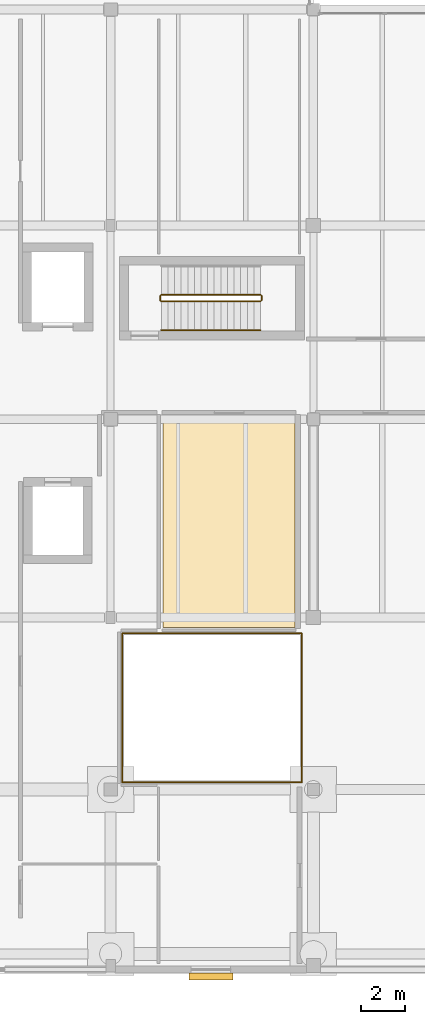
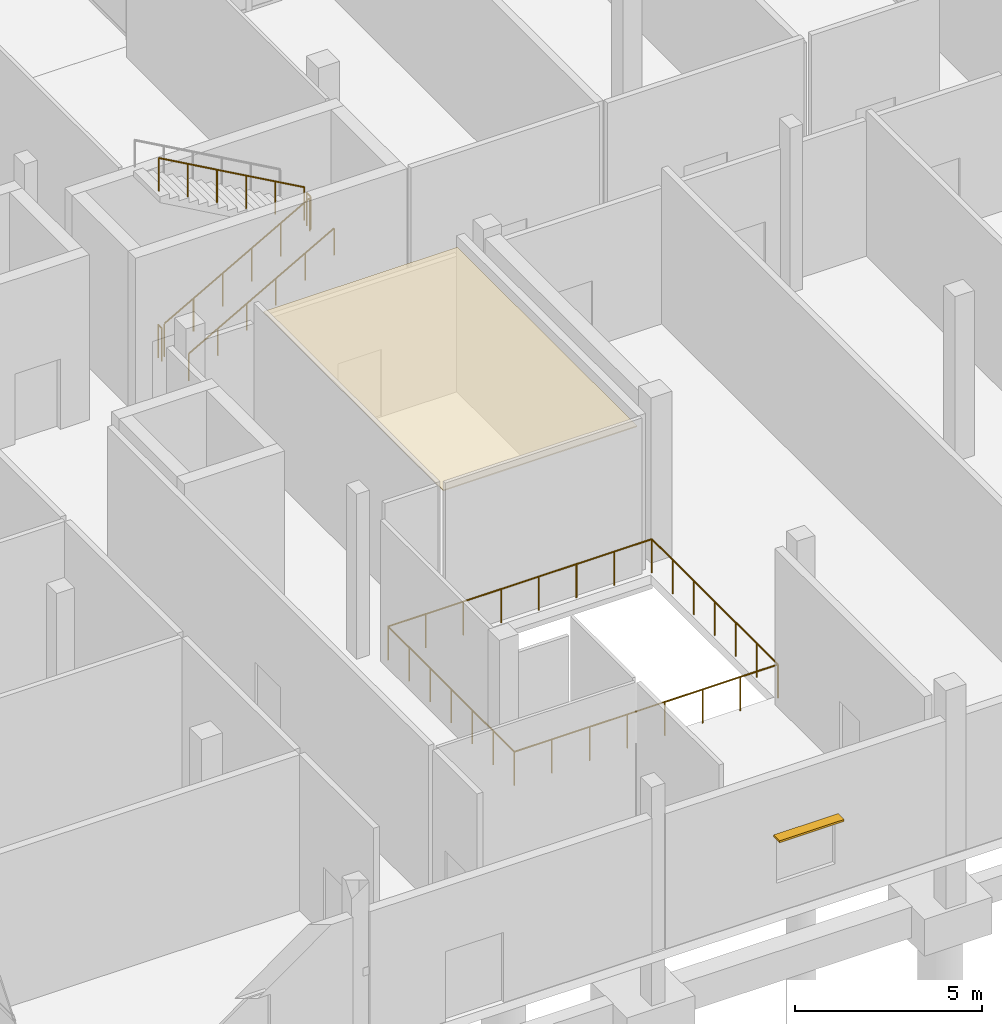
# One storey, part 85 of 88: 9 railings, 1 covering, 1 shading device.
"""IFC4 building model written with IfcOpenShell, lengths in metres."""

from ifc_helpers import new_model, si_unit, direction, frame, origin, origin_2d, place, context, subcontext, project, spatial, polyline, rectangle, circle, outline, extrude, material, layer, layer_set, type_object, element, save


model = new_model("IFC4")

# Units and contexts
model_context = context("Model", 3, precision=1e-05, world=origin(), true_north=direction((0.0, 1.0)))
body_context = subcontext(model_context, "Body", "Model", "MODEL_VIEW")
ifc_project = project(units=[si_unit("LENGTHUNIT", "METRE"), si_unit("AREAUNIT", "SQUARE_METRE"), si_unit("VOLUMEUNIT", "CUBIC_METRE"), si_unit("PLANEANGLEUNIT", "RADIAN"), si_unit("MASSUNIT", "GRAM", prefix="KILO")], contexts=[model_context])

# Site, building, storey
site_placement = place(None, origin())
site = spatial("IfcSite", under=ifc_project, at=site_placement, CompositionType="ELEMENT")
building_placement = place(site_placement, origin())
building = spatial("IfcBuilding", under=site, at=building_placement, Name="Birchvale Park Specialist Clinic", CompositionType="ELEMENT")
storey_placement = place(building_placement, origin())
storey = spatial("IfcBuildingStorey", under=building, at=storey_placement, Name="L00", CompositionType="ELEMENT", Elevation=0.0)

# Covering
ifc_material_1 = material(Name="Acoustic mineral-fibre wood-wool ceiling", Category="wood")
ifc_layer = layer(ifc_material_1, 0.034912109375)
ifc_layer_set = layer_set([ifc_layer], Name="Acoustic mineral-fibre wood-wool ceiling")
covering_type = type_object("IfcCoveringType", Name="COV-CE1", PredefinedType="CEILING", material=ifc_layer_set)
covering_placement = place(storey_placement, frame((0.0, 0.0, 4.715087890625)))
element("IfcCovering", 1, at=covering_placement, inside=storey, type_object=covering_type, Name="V5 L00 acoustic clinical ceiling 1", PredefinedType="CEILING", context=body_context, shape_type="SweptSolid", body=[
    extrude(outline(polyline([(139.577880859375, 16.340087890625), (145.575927734375, 16.340087890625), (145.575927734375, 25.97998046875), (139.577880859375, 25.97998046875), (139.577880859375, 16.340087890625)])), origin(), (0.0, 0.0, 1.0), 0.034912109375),
])

# Railings
ifc_material_2 = material(Name="Brushed stainless steel and laminated glass balustrade", Category="steel")
railing_type_1 = type_object("IfcRailingType", Name="RL-BAL1", PredefinedType="BALUSTRADE", material=ifc_material_2)
railing_1_placement = place(storey_placement, frame((137.719970703125, 9.320068359375, 0.0)))
element("IfcRailing", 2, at=railing_1_placement, inside=storey, type_object=railing_type_1, Name="V5 L00 atrium void balustrade 52", PredefinedType="BALUSTRADE", context=body_context, shape_type="SweptSolid", body=[
    extrude(circle(Radius=0.02392578125, at=origin_2d()), frame((0.0, 0.0, 1.09619140625), z_axis=(1.0, 0.0, 0.0), x_axis=(0.0, 1.0, 0.0)), (0.0, 0.0, 1.0), 8.159912109375),
    extrude(circle(Radius=0.02099609375, at=origin_2d()), origin(), (0.0, 0.0, 1.0), 1.072021484375),
    extrude(circle(Radius=0.02099609375, at=origin_2d()), frame((1.165771484375, 0.0, 0.0)), (0.0, 0.0, 1.0), 1.072021484375),
    extrude(circle(Radius=0.02099609375, at=origin_2d()), frame((2.331298828125, 0.0, 0.0)), (0.0, 0.0, 1.0), 1.072021484375),
    extrude(circle(Radius=0.02099609375, at=origin_2d()), frame((3.4970703125, 0.0, 0.0)), (0.0, 0.0, 1.0), 1.072021484375),
    extrude(circle(Radius=0.02099609375, at=origin_2d()), frame((4.662841796875, 0.0, 0.0)), (0.0, 0.0, 1.0), 1.072021484375),
    extrude(circle(Radius=0.02099609375, at=origin_2d()), frame((5.82861328125, 0.0, 0.0)), (0.0, 0.0, 1.0), 1.072021484375),
    extrude(circle(Radius=0.02099609375, at=origin_2d()), frame((6.994140625, 0.0, 0.0)), (0.0, 0.0, 1.0), 1.072021484375),
    extrude(circle(Radius=0.02099609375, at=origin_2d()), frame((8.159912109375, 0.0, 0.0)), (0.0, 0.0, 1.0), 1.072021484375),
])
railing_2_placement = place(storey_placement, frame((145.8798828125, 9.320068359375, 0.0)))
element("IfcRailing", 3, at=railing_2_placement, inside=storey, type_object=railing_type_1, Name="V5 L00 atrium void balustrade 53", PredefinedType="BALUSTRADE", context=body_context, shape_type="SweptSolid", body=[
    extrude(circle(Radius=0.02392578125, at=origin_2d()), frame((0.0, 0.0, 1.09619140625), z_axis=(0.0, 1.0, 0.0), x_axis=(-1.0, 0.0, 0.0)), (0.0, 0.0, 1.0), 6.760009765625),
    extrude(circle(Radius=0.02099609375, at=origin_2d()), origin(), (0.0, 0.0, 1.0), 1.072021484375),
    extrude(circle(Radius=0.02099609375, at=origin_2d()), frame((0.0, 1.126708984375, 0.0)), (0.0, 0.0, 1.0), 1.072021484375),
    extrude(circle(Radius=0.02099609375, at=origin_2d()), frame((0.0, 2.25341796875, 0.0)), (0.0, 0.0, 1.0), 1.072021484375),
    extrude(circle(Radius=0.02099609375, at=origin_2d()), frame((0.0, 3.3798828125, 0.0)), (0.0, 0.0, 1.0), 1.072021484375),
    extrude(circle(Radius=0.02099609375, at=origin_2d()), frame((0.0, 4.506591796875, 0.0)), (0.0, 0.0, 1.0), 1.072021484375),
    extrude(circle(Radius=0.02099609375, at=origin_2d()), frame((0.0, 5.63330078125, 0.0)), (0.0, 0.0, 1.0), 1.072021484375),
    extrude(circle(Radius=0.02099609375, at=origin_2d()), frame((0.0, 6.760009765625, 0.0)), (0.0, 0.0, 1.0), 1.072021484375),
])
railing_3_placement = place(storey_placement, frame((145.8798828125, 16.080078125, 0.0)))
element("IfcRailing", 4, at=railing_3_placement, inside=storey, type_object=railing_type_1, Name="V5 L00 atrium void balustrade 54", PredefinedType="BALUSTRADE", context=body_context, shape_type="SweptSolid", body=[
    extrude(circle(Radius=0.02392578125, at=origin_2d()), frame((0.0, 0.0, 1.09619140625), z_axis=(-1.0, 0.0, 0.0), x_axis=(0.0, -1.0, 0.0)), (0.0, 0.0, 1.0), 8.159912109375),
    extrude(circle(Radius=0.02099609375, at=origin_2d()), origin(), (0.0, 0.0, 1.0), 1.072021484375),
    extrude(circle(Radius=0.02099609375, at=origin_2d()), frame((-1.165771484375, 0.0, 0.0)), (0.0, 0.0, 1.0), 1.072021484375),
    extrude(circle(Radius=0.02099609375, at=origin_2d()), frame((-2.331298828125, 0.0, 0.0)), (0.0, 0.0, 1.0), 1.072021484375),
    extrude(circle(Radius=0.02099609375, at=origin_2d()), frame((-3.4970703125, 0.0, 0.0)), (0.0, 0.0, 1.0), 1.072021484375),
    extrude(circle(Radius=0.02099609375, at=origin_2d()), frame((-4.662841796875, 0.0, 0.0)), (0.0, 0.0, 1.0), 1.072021484375),
    extrude(circle(Radius=0.02099609375, at=origin_2d()), frame((-5.82861328125, 0.0, 0.0)), (0.0, 0.0, 1.0), 1.072021484375),
    extrude(circle(Radius=0.02099609375, at=origin_2d()), frame((-6.994140625, 0.0, 0.0)), (0.0, 0.0, 1.0), 1.072021484375),
    extrude(circle(Radius=0.02099609375, at=origin_2d()), frame((-8.159912109375, 0.0, 0.0)), (0.0, 0.0, 1.0), 1.072021484375),
])
railing_4_placement = place(storey_placement, frame((137.719970703125, 16.080078125, 0.0)))
element("IfcRailing", 5, at=railing_4_placement, inside=storey, type_object=railing_type_1, Name="V5 L00 atrium void balustrade 55", PredefinedType="BALUSTRADE", context=body_context, shape_type="SweptSolid", body=[
    extrude(circle(Radius=0.02392578125, at=origin_2d()), frame((0.0, 0.0, 1.09619140625), z_axis=(0.0, -1.0, 0.0), x_axis=(1.0, 0.0, 0.0)), (0.0, 0.0, 1.0), 6.760009765625),
    extrude(circle(Radius=0.02099609375, at=origin_2d()), origin(), (0.0, 0.0, 1.0), 1.072021484375),
    extrude(circle(Radius=0.02099609375, at=origin_2d()), frame((0.0, -1.126708984375, 0.0)), (0.0, 0.0, 1.0), 1.072021484375),
    extrude(circle(Radius=0.02099609375, at=origin_2d()), frame((0.0, -2.25341796875, 0.0)), (0.0, 0.0, 1.0), 1.072021484375),
    extrude(circle(Radius=0.02099609375, at=origin_2d()), frame((0.0, -3.3798828125, 0.0)), (0.0, 0.0, 1.0), 1.072021484375),
    extrude(circle(Radius=0.02099609375, at=origin_2d()), frame((0.0, -4.506591796875, 0.0)), (0.0, 0.0, 1.0), 1.072021484375),
    extrude(circle(Radius=0.02099609375, at=origin_2d()), frame((0.0, -5.63330078125, 0.0)), (0.0, 0.0, 1.0), 1.072021484375),
    extrude(circle(Radius=0.02099609375, at=origin_2d()), frame((0.0, -6.760009765625, 0.0)), (0.0, 0.0, 1.0), 1.072021484375),
])
ifc_material_3 = material(Name="Brushed stainless steel guard railing", Category="steel")
railing_type_2 = type_object("IfcRailingType", Name="RL-GRD1", PredefinedType="GUARDRAIL", material=ifc_material_3)
railing_5_placement = place(storey_placement, frame((139.5, 31.14990234375, 0.168701171875)))
element("IfcRailing", 6, at=railing_5_placement, inside=storey, type_object=railing_type_2, Name="L00 ST6 stair guard 1", PredefinedType="GUARDRAIL", context=body_context, shape_type="SweptSolid", body=[
    extrude(circle(Radius=0.02392578125, at=origin_2d()), frame((0.0, 0.0, 1.076171875), z_axis=(0.871575537125, 0.0, 0.490261239633), x_axis=(0.0, 1.0, 0.0)), (0.0, 0.0, 1.0), 5.1630859375),
    extrude(circle(Radius=0.02099609375, at=origin_2d()), origin(), (0.0, 0.0, 1.0), 1.052001953125),
    extrude(circle(Radius=0.02099609375, at=origin_2d()), frame((0.89990234375, 0.0, 0.50634765625)), (0.0, 0.0, 1.0), 1.052001953125),
    extrude(circle(Radius=0.02099609375, at=origin_2d()), frame((1.800048828125, 0.0, 1.012451171875)), (0.0, 0.0, 1.0), 1.052001953125),
    extrude(circle(Radius=0.02099609375, at=origin_2d()), frame((2.699951171875, 0.0, 1.518798828125)), (0.0, 0.0, 1.0), 1.052001953125),
    extrude(circle(Radius=0.02099609375, at=origin_2d()), frame((3.60009765625, 0.0, 2.02490234375)), (0.0, 0.0, 1.0), 1.052001953125),
    extrude(circle(Radius=0.02099609375, at=origin_2d()), frame((4.5, 0.0, 2.53125)), (0.0, 0.0, 1.0), 1.052001953125),
])
railing_6_placement = place(storey_placement, frame((144.050048828125, 31.199951171875, 2.699951171875)))
element("IfcRailing", 7, at=railing_6_placement, inside=storey, type_object=railing_type_2, Name="L00 ST6 stair guard 2", PredefinedType="GUARDRAIL", context=body_context, shape_type="SweptSolid", body=[
    extrude(circle(Radius=0.02392578125, at=origin_2d()), frame((0.0, 0.0, 1.076171875), z_axis=(0.0, 1.0, 0.0), x_axis=(-1.0, 0.0, 0.0)), (0.0, 0.0, 1.0), 0.199951171875),
    extrude(circle(Radius=0.02099609375, at=origin_2d()), origin(), (0.0, 0.0, 1.0), 1.052001953125),
    extrude(circle(Radius=0.02099609375, at=origin_2d()), frame((0.0, 0.199951171875, 0.0)), (0.0, 0.0, 1.0), 1.052001953125),
])
railing_7_placement = place(storey_placement, frame((144.0, 31.449951171875, 2.86865234375)))
element("IfcRailing", 8, at=railing_7_placement, inside=storey, type_object=railing_type_2, Name="L00 ST6 stair guard 3", PredefinedType="GUARDRAIL", context=body_context, shape_type="SweptSolid", body=[
    extrude(circle(Radius=0.02392578125, at=origin_2d()), frame((0.0, 0.0, 1.076171875), z_axis=(-0.871575537125, 0.0, 0.490261239633), x_axis=(0.0, -1.0, 0.0)), (0.0, 0.0, 1.0), 5.1630859375),
    extrude(circle(Radius=0.02099609375, at=origin_2d()), origin(), (0.0, 0.0, 1.0), 1.052001953125),
    extrude(circle(Radius=0.02099609375, at=origin_2d()), frame((-0.89990234375, 0.0, 0.50634765625)), (0.0, 0.0, 1.0), 1.052001953125),
    extrude(circle(Radius=0.02099609375, at=origin_2d()), frame((-1.800048828125, 0.0, 1.012451171875)), (0.0, 0.0, 1.0), 1.052001953125),
    extrude(circle(Radius=0.02099609375, at=origin_2d()), frame((-2.699951171875, 0.0, 1.518798828125)), (0.0, 0.0, 1.0), 1.052001953125),
    extrude(circle(Radius=0.02099609375, at=origin_2d()), frame((-3.60009765625, 0.0, 2.02490234375)), (0.0, 0.0, 1.0), 1.052001953125),
    extrude(circle(Radius=0.02099609375, at=origin_2d()), frame((-4.5, 0.0, 2.53125)), (0.0, 0.0, 1.0), 1.052001953125),
])
railing_8_placement = place(storey_placement, frame((139.449951171875, 31.199951171875, 0.0)))
element("IfcRailing", 9, at=railing_8_placement, inside=storey, type_object=railing_type_2, Name="L00 ST6 stair guard 4", PredefinedType="GUARDRAIL", context=body_context, shape_type="SweptSolid", body=[
    extrude(circle(Radius=0.02392578125, at=origin_2d()), frame((0.0, 0.0, 1.076171875), z_axis=(0.0, 1.0, 0.0), x_axis=(-1.0, 0.0, 0.0)), (0.0, 0.0, 1.0), 0.199951171875),
    extrude(circle(Radius=0.02099609375, at=origin_2d()), origin(), (0.0, 0.0, 1.0), 1.052001953125),
    extrude(circle(Radius=0.02099609375, at=origin_2d()), frame((0.0, 0.199951171875, 0.0)), (0.0, 0.0, 1.0), 1.052001953125),
])
ifc_material_4 = material(Name="Anodised aluminium handrail", Category="aluminium")
railing_type_3 = type_object("IfcRailingType", Name="RL-HND1", PredefinedType="HANDRAIL", material=ifc_material_4)
railing_9_placement = place(storey_placement, frame((139.5, 29.85009765625, 0.168701171875)))
element("IfcRailing", 10, at=railing_9_placement, inside=storey, type_object=railing_type_3, Name="L00 ST6 stair handrail 1", PredefinedType="HANDRAIL", context=body_context, shape_type="SweptSolid", body=[
    extrude(circle(Radius=0.02392578125, at=origin_2d()), frame((0.0, 0.0, 0.8759765625), z_axis=(0.871575537125, 0.0, 0.490261239633), x_axis=(0.0, 1.0, 0.0)), (0.0, 0.0, 1.0), 5.1630859375),
    extrude(circle(Radius=0.02099609375, at=origin_2d()), origin(), (0.0, 0.0, 1.0), 0.851806640625),
    extrude(circle(Radius=0.02099609375, at=origin_2d()), frame((0.89990234375, 0.0, 0.50634765625)), (0.0, 0.0, 1.0), 0.851806640625),
    extrude(circle(Radius=0.02099609375, at=origin_2d()), frame((1.800048828125, 0.0, 1.012451171875)), (0.0, 0.0, 1.0), 0.851806640625),
    extrude(circle(Radius=0.02099609375, at=origin_2d()), frame((2.699951171875, 0.0, 1.518798828125)), (0.0, 0.0, 1.0), 0.851806640625),
    extrude(circle(Radius=0.02099609375, at=origin_2d()), frame((3.60009765625, 0.0, 2.02490234375)), (0.0, 0.0, 1.0), 0.851806640625),
    extrude(circle(Radius=0.02099609375, at=origin_2d()), frame((4.5, 0.0, 2.53125)), (0.0, 0.0, 1.0), 0.851806640625),
])

# Shading device
ifc_material_5 = material(Name="Nordic larch solar louvre")
shading_device_type = type_object("IfcShadingDeviceType", Name="SHD-LVR1", PredefinedType="JALOUSIE", material=ifc_material_5)
shading_device_placement = place(storey_placement, frame((141.74755859375, 0.510009765625, 2.49755859375), z_axis=(0.0, 0.0, 1.0), x_axis=(1.0, 0.0, 0.0)))
element("IfcShadingDevice", 11, at=shading_device_placement, inside=storey, type_object=shading_device_type, Name="V5 L00 timber sun louvre 9", PredefinedType="JALOUSIE", context=body_context, shape_type="SweptSolid", body=[
    extrude(rectangle(XDim=2.0, YDim=0.320068359375, at=origin_2d()), origin(), (0.0, 0.0, 1.0), 0.06494140625),
])

save(model, "model.ifc")
